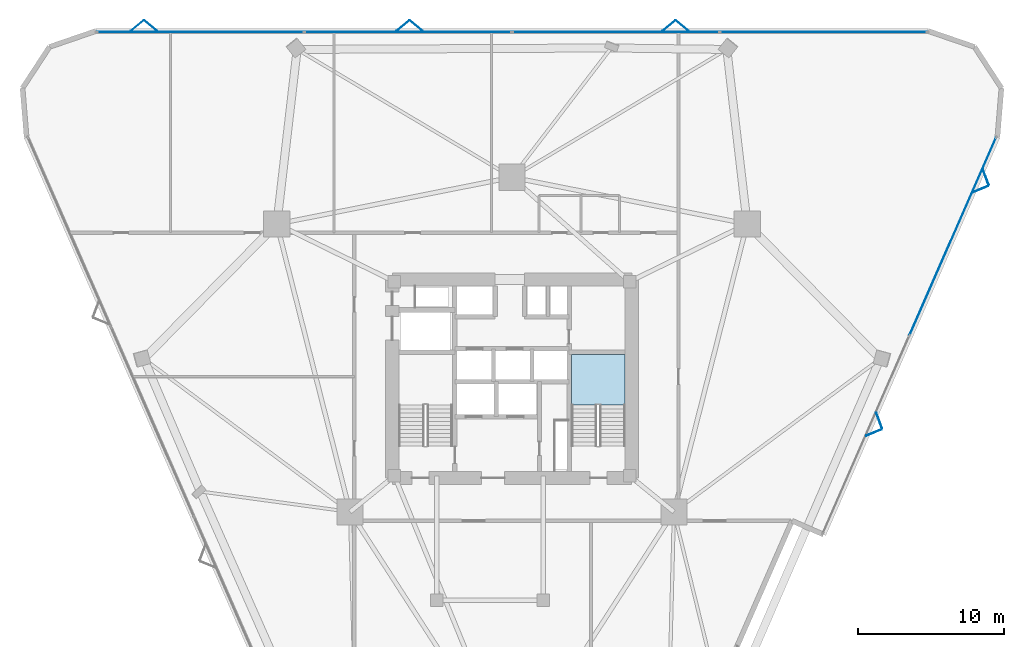
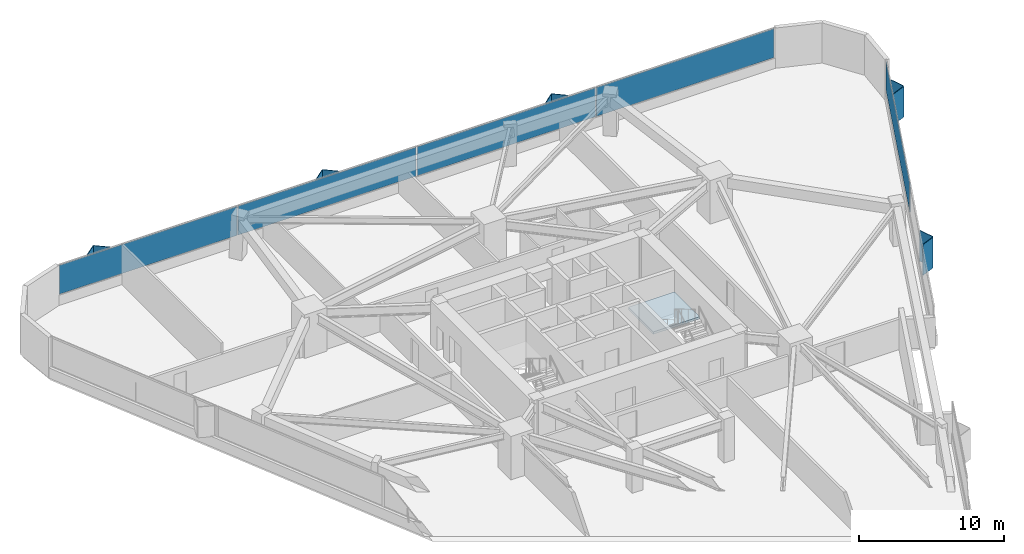
# One storey, part 11 of 14: 15 plates, 1 slab, 3 elements without a shape of their own.
"""IFC4 building model written with IfcOpenShell, lengths in metres."""

from ifc_helpers import new_model, si_unit, direction, frame, origin, origin_2d, place, context, subcontext, project, spatial, polyline, rectangle, outline, extrude, material, layer, layer_set, type_object, element, aggregate, save


model = new_model("IFC4")

# Units and contexts
model_context = context("Model", 3, precision=1e-05, world=origin(), true_north=direction((0.0, 1.0)))
body_context = subcontext(model_context, "Body", "Model", "MODEL_VIEW")
ifc_project = project(units=[si_unit("LENGTHUNIT", "METRE"), si_unit("AREAUNIT", "SQUARE_METRE"), si_unit("VOLUMEUNIT", "CUBIC_METRE"), si_unit("PLANEANGLEUNIT", "RADIAN"), si_unit("MASSUNIT", "GRAM", prefix="KILO")], contexts=[model_context])

# Site, building, storey
site_placement = place(None, origin())
site = spatial("IfcSite", under=ifc_project, at=site_placement, CompositionType="ELEMENT")
building_placement = place(site_placement, origin())
building = spatial("IfcBuilding", under=site, at=building_placement, Name="Talyreon Biosciences Tower", CompositionType="ELEMENT")
storey_placement = place(building_placement, frame((0.0, 0.0, 48.35009765625)))
storey = spatial("IfcBuildingStorey", under=building, at=storey_placement, Name="L12", CompositionType="ELEMENT", Elevation=48.35009765625)

# Curtain wall, plates
ifc_material_1 = material(Name="Thermally broken aluminium and low-E glazing", Category="aluminium")
ifc_layer_1 = layer(ifc_material_1, 0.205078125)
ifc_layer_set_1 = layer_set([ifc_layer_1], Name="Thermally broken aluminium and low-E glazing")
curtain_wall_type = type_object("IfcCurtainWallType", Name="CurtainWall_SkyGardenLoggia", PredefinedType="NOTDEFINED", material=ifc_layer_set_1)
curtain_wall_1_placement = place(storey_placement, origin())
curtain_wall_1 = element("IfcCurtainWall", 1, at=curtain_wall_1_placement, inside=storey, type_object=curtain_wall_type, Name="L12 Unitised Curtain Wall FCW-L12-03", PredefinedType="NOTDEFINED")
ifc_material_2 = material(Name="Acoustic laminated low-E insulated glazing", Category="glass")
ifc_layer_2 = layer(ifc_material_2, 0.0380859375)
ifc_layer_set_2 = layer_set([ifc_layer_2], Name="Acoustic laminated low-E insulated glazing")
plate_type_1 = type_object("IfcPlateType", Name="CWGlazingPanel_38", PredefinedType="CURTAIN_PANEL", material=ifc_layer_set_2)
plate_1_placement = place(storey_placement, frame((44.658203125, 91.74072265625, 0.874755859375), z_axis=(0.0, 0.0, 1.0), x_axis=(1.0, 0.0, 0.0)))
plate_1 = element("IfcPlate", 2, at=plate_1_placement, type_object=plate_type_1, Name="CW7 panel 1.1", PredefinedType="CURTAIN_PANEL", context=body_context, shape_type="SweptSolid", body=[
    extrude(rectangle(XDim=14.1279296875, YDim=0.0380859375, at=origin_2d()), origin(), (0.0, 0.0, 1.0), 2.43505859375),
])
plate_2_placement = place(storey_placement, frame((58.8798828125, 91.74072265625, 0.874755859375), z_axis=(0.0, 0.0, 1.0), x_axis=(1.0, 0.0, 0.0)))
plate_2 = element("IfcPlate", 3, at=plate_2_placement, type_object=plate_type_1, Name="CW7 panel 2.1", PredefinedType="CURTAIN_PANEL", context=body_context, shape_type="SweptSolid", body=[
    extrude(rectangle(XDim=14.165283203125, YDim=0.0380859375, at=origin_2d()), origin(), (0.0, 0.0, 1.0), 2.43505859375),
])
plate_3_placement = place(storey_placement, frame((73.1201171875, 91.74072265625, 0.874755859375), z_axis=(0.0, 0.0, 1.0), x_axis=(1.0, 0.0, 0.0)))
plate_3 = element("IfcPlate", 4, at=plate_3_placement, type_object=plate_type_1, Name="CW7 panel 3.1", PredefinedType="CURTAIN_PANEL", context=body_context, shape_type="SweptSolid", body=[
    extrude(rectangle(XDim=14.165283203125, YDim=0.0380859375, at=origin_2d()), origin(), (0.0, 0.0, 1.0), 2.43505859375),
])
plate_4_placement = place(storey_placement, frame((87.341796875, 91.74072265625, 0.874755859375), z_axis=(0.0, 0.0, 1.0), x_axis=(1.0, 0.0, 0.0)))
plate_4 = element("IfcPlate", 5, at=plate_4_placement, type_object=plate_type_1, Name="CW7 panel 4.1", PredefinedType="CURTAIN_PANEL", context=body_context, shape_type="SweptSolid", body=[
    extrude(rectangle(XDim=14.1279296875, YDim=0.0380859375, at=origin_2d()), origin(), (0.0, 0.0, 1.0), 2.43505859375),
])
aggregate(curtain_wall_1, [plate_1, plate_2, plate_3, plate_4])

# Curtain wall, plate
curtain_wall_2_placement = place(storey_placement, origin())
curtain_wall_2 = element("IfcCurtainWall", 6, at=curtain_wall_2_placement, inside=storey, type_object=curtain_wall_type, Name="L12 Unitised Curtain Wall FCW-L12-07", PredefinedType="NOTDEFINED")
plate_5_placement = place(storey_placement, frame((96.184814453125, 77.74755859375, 0.874755859375), z_axis=(0.0, 0.0, 1.0), x_axis=(-0.401098211105, -0.91603505667, 0.0)))
plate_5 = element("IfcPlate", 7, at=plate_5_placement, type_object=plate_type_1, Name="CW7 panel 1.1", PredefinedType="CURTAIN_PANEL", context=body_context, shape_type="SweptSolid", body=[
    extrude(rectangle(XDim=14.7392578125, YDim=0.0380859375, at=origin_2d()), origin(), (0.0, 0.0, 1.0), 2.43505859375),
])
aggregate(curtain_wall_2, [plate_5])

# Plates
ifc_material_3 = material(Name="Ivory GFRC sunshade panel", Category="concrete")
ifc_layer_3 = layer(ifc_material_3, 0.044921875)
ifc_layer_set_3 = layer_set([ifc_layer_3], Name="Ivory GFRC sunshade panel")
plate_type_2 = type_object("IfcPlateType", Name="FoldedVSunshade_NorthFace_SUNSHADE", PredefinedType="USERDEFINED", material=ifc_layer_set_3)
for number, where, z_axis, x_axis, name in (
    (8, (40.339111328125, 92.1806640625, 0.7900390625), (0.0, 0.0, 1.0), (0.771624583388, 0.636078220278, 0.0), "L12 Folded V-Sunshade Panel 03.01L"),
    (9, (41.2392578125, 92.1806640625, 0.7900390625), (0.0, 0.0, 1.0), (0.771624583388, -0.636078220278, 0.0), "L12 Folded V-Sunshade Panel 03.01R"),
    (10, (58.539306640625, 92.1806640625, 0.7900390625), (0.0, 0.0, 1.0), (0.771624583388, 0.636078220278, 0.0), "L12 Folded V-Sunshade Panel 03.02L"),
    (11, (59.439208984375, 92.1806640625, 0.7900390625), (0.0, 0.0, 1.0), (0.771624583388, -0.636078220278, 0.0), "L12 Folded V-Sunshade Panel 03.02R"),
    (12, (76.7392578125, 92.1806640625, 0.7900390625), (0.0, 0.0, 1.0), (0.771624583388, 0.636078220278, 0.0), "L12 Folded V-Sunshade Panel 03.03L"),
    (13, (77.63916015625, 92.1806640625, 0.7900390625), (0.0, 0.0, 1.0), (0.771624583388, -0.636078220278, 0.0), "L12 Folded V-Sunshade Panel 03.03R"),
):
    element("IfcPlate", number, at=place(storey_placement, frame(where, z_axis=z_axis, x_axis=x_axis)), inside=storey, type_object=plate_type_2, Name=name, ObjectType="SUNSHADE", PredefinedType="USERDEFINED", context=body_context, shape_type="SweptSolid", body=[
        extrude(rectangle(XDim=1.14990234375, YDim=0.044921875, at=origin_2d()), origin(), (0.0, 0.0, 1.0), 2.5849609375),
    ])
ifc_layer_4 = layer(ifc_material_3, 0.044921875)
ifc_layer_set_4 = layer_set([ifc_layer_4], Name="Ivory GFRC sunshade panel")
plate_type_3 = type_object("IfcPlateType", Name="FoldedVSunshade_SunFace_SUNSHADE", PredefinedType="USERDEFINED", material=ifc_layer_set_4)
for number, where, z_axis, x_axis, name in (
    (14, (98.44287109375, 81.807373046875, 0.7900390625), (0.0, 0.0, 1.0), (0.347803073264, -0.937567609417, 0.0), "L12 Folded V-Sunshade Panel 07.01L"),
    (15, (98.081787109375, 80.98291015625, 0.7900390625), (0.0, 0.0, 1.0), (-0.924858316353, -0.380311838723, 0.0), "L12 Folded V-Sunshade Panel 07.01R"),
    (16, (91.142822265625, 65.135498046875, 0.7900390625), (0.0, 0.0, 1.0), (0.347803073264, -0.937567609417, 0.0), "L12 Folded V-Sunshade Panel 07.02L"),
    (17, (90.78173828125, 64.31103515625, 0.7900390625), (0.0, 0.0, 1.0), (-0.924858316353, -0.380311838723, 0.0), "L12 Folded V-Sunshade Panel 07.02R"),
):
    element("IfcPlate", number, at=place(storey_placement, frame(where, z_axis=z_axis, x_axis=x_axis)), inside=storey, type_object=plate_type_3, Name=name, ObjectType="SUNSHADE", PredefinedType="USERDEFINED", context=body_context, shape_type="SweptSolid", body=[
        extrude(rectangle(XDim=1.14990234375, YDim=0.044921875, at=origin_2d()), origin(), (0.0, 0.0, 1.0), 2.5849609375),
    ])

# Stair, slab
ifc_material_4 = material(Name="Concrete C40/50", Category="concrete")
stair_type = type_object("IfcStairType", Name="DoglegEscapeStair_3650", PredefinedType="HALF_TURN_STAIR", material=ifc_material_4)
stair_placement = place(storey_placement, origin())
stair = element("IfcStair", 18, at=stair_placement, inside=storey, type_object=stair_type, Name="L12 Core Escape Stair 2", PredefinedType="HALF_TURN_STAIR")
ifc_layer_5 = layer(ifc_material_4, 0.199951171875)
ifc_layer_set_5 = layer_set([ifc_layer_5], Name="Concrete C40/50")
slab_type = type_object("IfcSlabType", Name="StairLandingSlab_200", PredefinedType="LANDING", material=ifc_layer_set_5)
slab_placement = place(storey_placement, frame((0.0, 0.0, 1.625)))
slab = element("IfcSlab", 19, at=slab_placement, type_object=slab_type, Name="ST-2 landing 1", PredefinedType="LANDING", context=body_context, shape_type="SweptSolid", body=[
    extrude(outline(polyline([(73.75, 66.199951171875), (73.75, 69.64990234375), (70.070068359375, 69.64990234375), (70.070068359375, 66.199951171875), (73.75, 66.199951171875)])), origin(), (0.0, 0.0, 1.0), 0.199951171875),
])
aggregate(stair, [slab])

save(model, "model.ifc")
